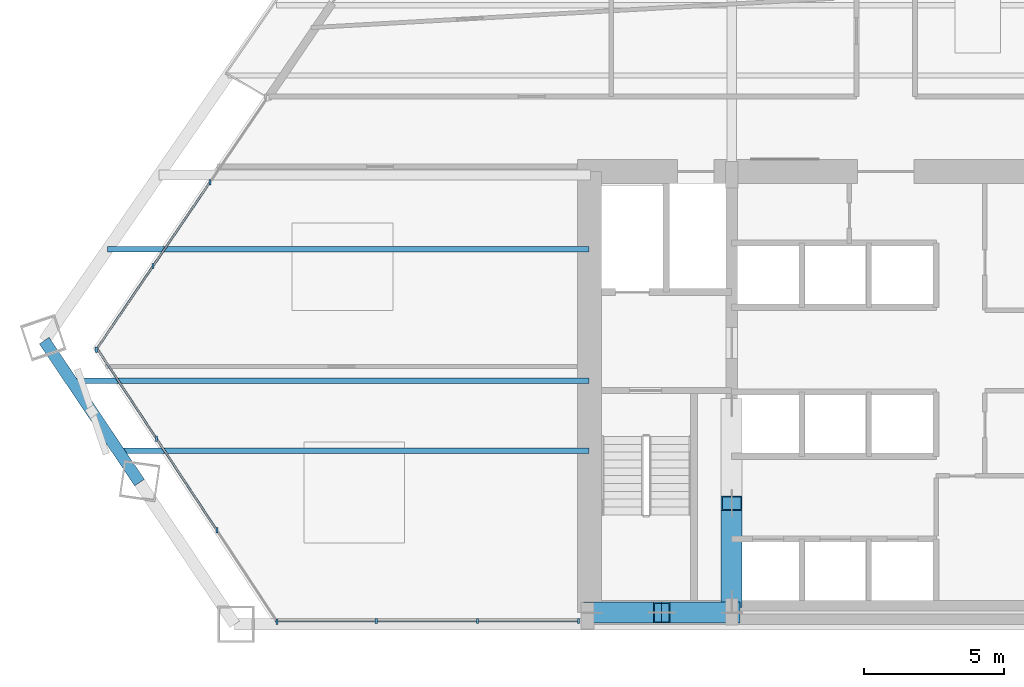
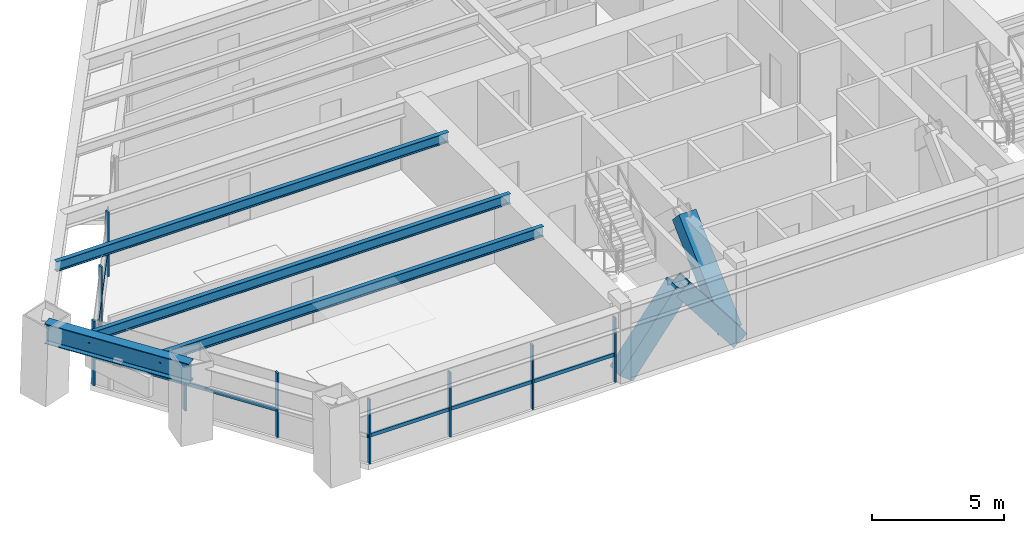
# One storey, part 2 of 14: 19 members, 4 beams, 3 elements without a shape of their own.
"""IFC4 building model written with IfcOpenShell, lengths in metres."""

from ifc_helpers import new_model, si_unit, direction, frame, origin, origin_2d, place, context, subcontext, project, spatial, rectangle, hollow_rectangle, i_section, extrude, source, transform, mapped, material, material_profile, profile_set, type_object, element, aggregate, save


model = new_model("IFC4")

# Units and contexts
model_context = context("Model", 3, precision=1e-05, world=origin(), true_north=direction((0.0, 1.0)))
body_context = subcontext(model_context, "Body", "Model", "MODEL_VIEW")
ifc_project = project(units=[si_unit("LENGTHUNIT", "METRE"), si_unit("AREAUNIT", "SQUARE_METRE"), si_unit("VOLUMEUNIT", "CUBIC_METRE"), si_unit("PLANEANGLEUNIT", "RADIAN"), si_unit("MASSUNIT", "GRAM", prefix="KILO")], contexts=[model_context])

# Site, building, storey
site_placement = place(None, origin())
site = spatial("IfcSite", under=ifc_project, at=site_placement, CompositionType="ELEMENT")
building_placement = place(site_placement, origin())
building = spatial("IfcBuilding", under=site, at=building_placement, Name="Varnakhor Terracotta Tower", CompositionType="ELEMENT")
storey_placement = place(building_placement, frame((0.0, 0.0, 68.199951171875)))
storey = spatial("IfcBuildingStorey", under=building, at=storey_placement, Name="L16", CompositionType="ELEMENT", Elevation=68.199951171875)

# Beams
ifc_material_1 = material(Name="Steel S355", Category="steel")
ifc_material_profile_1 = material_profile(ifc_material_1, i_section(OverallWidth=0.41796875, OverallDepth=0.927001953125, WebThickness=0.01904296875, FlangeThickness=0.031982421875, FilletRadius=0.01806640625, at=origin_2d()), Name="W36X231")
ifc_profile_set_1 = profile_set([ifc_material_profile_1], Name="Steel S355")
beam_type_1 = type_object("IfcBeamType", Name="BM-W36X231", PredefinedType="BEAM", material=ifc_profile_set_1)
shared_shape_1 = source(origin(), body_context, "Body", "SweptSolid", [
    extrude(i_section(OverallWidth=0.41796875, OverallDepth=0.927001953125, WebThickness=0.01904296875, FlangeThickness=0.031982421875, FilletRadius=0.01806640625, at=origin_2d()), origin(), (0.0, 0.0, 1.0), 6.099365234375),
])
beam_1_placement = place(storey_placement, frame((-30.0498046875, 10.127197265625, 2.9365234375), z_axis=(0.557532716561, -0.83015496744, 0.0), x_axis=(0.83015496744, 0.557532716561, 0.0)))
element("IfcBeam", 1, at=beam_1_placement, inside=storey, type_object=beam_type_1, Name="L16 Perimeter Spandrel 7", PredefinedType="BEAM", context=body_context, shape_type="MappedRepresentation", body=[
    mapped(shared_shape_1, transform((0.0, 0.0, 0.0), scale=1.0)),
])
ifc_material_profile_2 = material_profile(ifc_material_1, i_section(OverallWidth=0.19189453125, OverallDepth=0.462890625, WebThickness=0.010498046875, FlangeThickness=0.017578125, FilletRadius=0.01806640625, at=origin_2d()), Name="W18X60")
ifc_profile_set_2 = profile_set([ifc_material_profile_2], Name="Steel S355")
beam_type_2 = type_object("IfcBeamType", Name="JST-W18X60", PredefinedType="JOIST", material=ifc_profile_set_2)
shared_shape_2 = source(origin(), body_context, "Body", "SweptSolid", [
    extrude(i_section(OverallWidth=0.19189453125, OverallDepth=0.462890625, WebThickness=0.010498046875, FlangeThickness=0.017578125, FilletRadius=0.01806640625, at=origin_2d()), origin(), (0.0, 0.0, 1.0), 16.812255859375),
])
beam_2_placement = place(storey_placement, frame((-27.412353515625, 6.199951171875, 3.16845703125), z_axis=(1.0, 0.0, 0.0), x_axis=(0.0, 1.0, 0.0)))
element("IfcBeam", 2, at=beam_2_placement, inside=storey, type_object=beam_type_2, Name="L16 Floor Joist W1", PredefinedType="JOIST", context=body_context, shape_type="MappedRepresentation", body=[
    mapped(shared_shape_2, transform((0.0, 0.0, 0.0), scale=1.0)),
])
shared_shape_3 = source(origin(), body_context, "Body", "SweptSolid", [
    extrude(i_section(OverallWidth=0.19189453125, OverallDepth=0.462890625, WebThickness=0.010498046875, FlangeThickness=0.017578125, FilletRadius=0.01806640625, at=origin_2d()), origin(), (0.0, 0.0, 1.0), 18.4912109375),
])
beam_3_placement = place(storey_placement, frame((-29.09130859375, 8.699951171875, 3.16845703125), z_axis=(1.0, 0.0, 0.0), x_axis=(0.0, 1.0, 0.0)))
element("IfcBeam", 3, at=beam_3_placement, inside=storey, type_object=beam_type_2, Name="L16 Floor Joist W2", PredefinedType="JOIST", context=body_context, shape_type="MappedRepresentation", body=[
    mapped(shared_shape_3, transform((0.0, 0.0, 0.0), scale=1.0)),
])
shared_shape_4 = source(origin(), body_context, "Body", "SweptSolid", [
    extrude(i_section(OverallWidth=0.19189453125, OverallDepth=0.462890625, WebThickness=0.010498046875, FlangeThickness=0.017578125, FilletRadius=0.01806640625, at=origin_2d()), origin(), (0.0, 0.0, 1.0), 17.18505859375),
])
beam_4_placement = place(storey_placement, frame((-27.78515625, 13.39990234375, 3.16845703125), z_axis=(1.0, 0.0, 0.0), x_axis=(0.0, 1.0, 0.0)))
element("IfcBeam", 4, at=beam_4_placement, inside=storey, type_object=beam_type_2, Name="L16 Floor Joist W3", PredefinedType="JOIST", context=body_context, shape_type="MappedRepresentation", body=[
    mapped(shared_shape_4, transform((0.0, 0.0, 0.0), scale=1.0)),
])

# Members
ifc_material_2 = material(Name="Steel S460", Category="steel")
ifc_material_profile_3 = material_profile(ifc_material_2, hollow_rectangle(XDim=0.75, YDim=0.75, WallThickness=0.044921875, at=origin_2d()), Name="HSS750X750X45")
ifc_profile_set_3 = profile_set([ifc_material_profile_3], Name="Steel S460")
member_type_1 = type_object("IfcMemberType", Name="MBR-MEGA-750", PredefinedType="BRACE", material=ifc_profile_set_3)
shared_shape_5 = source(origin(), body_context, "Body", "SweptSolid", [
    extrude(hollow_rectangle(XDim=0.75, YDim=0.75, WallThickness=0.044921875, at=origin_2d()), origin(), (0.0, 0.0, 1.0), 4.100341796875),
])
for number, where, z_axis, x_axis, name in (
    (5, (-10.5, 0.419921875, 0.0), (0.60971076085, 0.0, 0.792623989105), (0.0, 1.0, 0.0), "L16 Core Coupled Brace CSWA"),
    (6, (-5.5, 0.419921875, 0.0), (-0.60971076085, 0.0, 0.792623989105), (0.0, -1.0, 0.0), "L16 Core Coupled Brace CSWB"),
):
    element("IfcMember", number, at=place(storey_placement, frame(where, z_axis=z_axis, x_axis=x_axis)), inside=storey, type_object=member_type_1, Name=name, PredefinedType="BRACE", context=body_context, shape_type="MappedRepresentation", body=[
        mapped(shared_shape_5, transform((0.0, 0.0, 0.0), scale=1.0)),
    ])
shared_shape_6 = source(origin(), body_context, "Body", "SweptSolid", [
    extrude(hollow_rectangle(XDim=0.75, YDim=0.75, WallThickness=0.044921875, at=origin_2d()), origin(), (0.0, 0.0, 1.0), 4.7578125),
])
member_1_placement = place(storey_placement, frame((-5.5, 0.85009765625, 0.0), z_axis=(0.0, 0.730341602329, 0.683082091632), x_axis=(-1.0, 0.0, 0.0)))
element("IfcMember", 7, at=member_1_placement, inside=storey, type_object=member_type_1, Name="L16 Core Coupled Brace CWWA", PredefinedType="BRACE", context=body_context, shape_type="MappedRepresentation", body=[
    mapped(shared_shape_6, transform((0.0, 0.0, 0.0), scale=1.0)),
])

# Curtain wall, members
ifc_material_3 = material(Name="Anodised Aluminium Curtain Wall System", Category="aluminium")
curtain_wall_type = type_object("IfcCurtainWallType", Name="CW-SYS-LOW-OFFICE", PredefinedType="NOTDEFINED", material=ifc_material_3)
curtain_wall_1_placement = place(storey_placement, origin())
curtain_wall_1 = element("IfcCurtainWall", 8, at=curtain_wall_1_placement, inside=storey, type_object=curtain_wall_type, Name="L16 W Facet Curtain Wall 1", PredefinedType="NOTDEFINED")
ifc_material_4 = material(Name="Anodised Aluminium 6063-T6", Category="aluminium")
ifc_material_profile_4 = material_profile(ifc_material_4, rectangle(XDim=0.074951171875, YDim=0.18505859375, at=origin_2d()), Name="ALU MULLION 75x185")
ifc_profile_set_4 = profile_set([ifc_material_profile_4], Name="Anodised Aluminium 6063-T6")
member_type_2 = type_object("IfcMemberType", Name="CWM-02", PredefinedType="MULLION", material=ifc_profile_set_4)
shared_shape_7 = source(origin(), body_context, "Body", "SweptSolid", [
    extrude(rectangle(XDim=0.074951171875, YDim=0.18505859375, at=origin_2d()), origin(), (0.0, 0.0, 1.0), 2.97998046875),
])
member_2_placement = place(storey_placement, frame((-28.19091796875, 9.807373046875, 0.0), z_axis=(0.0, 0.0, 1.0), x_axis=(1.0, 0.0, 0.0)))
member_2 = element("IfcMember", 9, at=member_2_placement, type_object=member_type_2, Name="L16 W Facet Curtain Wall 1 Mullion 1", PredefinedType="MULLION", context=body_context, shape_type="MappedRepresentation", body=[
    mapped(shared_shape_7, transform((0.0, 0.0, 0.0), scale=1.0)),
])
member_3_placement = place(storey_placement, frame((-26.16162109375, 12.7958984375, 0.0), z_axis=(0.0, 0.0, 1.0), x_axis=(1.0, 0.0, 0.0)))
member_3 = element("IfcMember", 10, at=member_3_placement, type_object=member_type_2, Name="L16 W Facet Curtain Wall 1 Mullion 2", PredefinedType="MULLION", context=body_context, shape_type="MappedRepresentation", body=[
    mapped(shared_shape_7, transform((0.0, 0.0, 0.0), scale=1.0)),
])
member_4_placement = place(storey_placement, frame((-24.13232421875, 15.784423828125, 0.0), z_axis=(0.0, 0.0, 1.0), x_axis=(1.0, 0.0, 0.0)))
member_4 = element("IfcMember", 11, at=member_4_placement, type_object=member_type_2, Name="L16 W Facet Curtain Wall 1 Mullion 3", PredefinedType="MULLION", context=body_context, shape_type="MappedRepresentation", body=[
    mapped(shared_shape_7, transform((0.0, 0.0, 0.0), scale=1.0)),
])

curtain_wall_2_placement = place(storey_placement, origin())
curtain_wall_2 = element("IfcCurtainWall", 12, at=curtain_wall_2_placement, inside=storey, type_object=curtain_wall_type, Name="L16 South Wing Curtain Wall SSW", PredefinedType="NOTDEFINED")
member_5_placement = place(storey_placement, frame((-10.969970703125, 0.1201171875, 0.0), z_axis=(0.0, 0.0, 1.0), x_axis=(1.0, 0.0, 0.0)))
member_5 = element("IfcMember", 13, at=member_5_placement, type_object=member_type_2, Name="L16 South Wing Curtain Wall SSW Mullion 1", PredefinedType="MULLION", context=body_context, shape_type="MappedRepresentation", body=[
    mapped(shared_shape_7, transform((0.0, 0.0, 0.0), scale=1.0)),
])
member_6_placement = place(storey_placement, frame((-14.58203125, 0.1201171875, 0.0), z_axis=(0.0, 0.0, 1.0), x_axis=(1.0, 0.0, 0.0)))
member_6 = element("IfcMember", 14, at=member_6_placement, type_object=member_type_2, Name="L16 South Wing Curtain Wall SSW Mullion 2", PredefinedType="MULLION", context=body_context, shape_type="MappedRepresentation", body=[
    mapped(shared_shape_7, transform((0.0, 0.0, 0.0), scale=1.0)),
])
member_7_placement = place(storey_placement, frame((-18.19384765625, 0.1201171875, 0.0), z_axis=(0.0, 0.0, 1.0), x_axis=(1.0, 0.0, 0.0)))
member_7 = element("IfcMember", 15, at=member_7_placement, type_object=member_type_2, Name="L16 South Wing Curtain Wall SSW Mullion 3", PredefinedType="MULLION", context=body_context, shape_type="MappedRepresentation", body=[
    mapped(shared_shape_7, transform((0.0, 0.0, 0.0), scale=1.0)),
])

curtain_wall_3_placement = place(storey_placement, origin())
curtain_wall_3 = element("IfcCurtainWall", 16, at=curtain_wall_3_placement, inside=storey, type_object=curtain_wall_type, Name="L16 Facet Curtain Wall 6", PredefinedType="NOTDEFINED")
member_8_placement = place(storey_placement, frame((-21.732177734375, 0.091064453125, 0.0), z_axis=(0.0, 0.0, 1.0), x_axis=(1.0, 0.0, 0.0)))
member_8 = element("IfcMember", 17, at=member_8_placement, type_object=member_type_2, Name="L16 Facet Curtain Wall 6 Mullion 1", PredefinedType="MULLION", context=body_context, shape_type="MappedRepresentation", body=[
    mapped(shared_shape_7, transform((0.0, 0.0, 0.0), scale=1.0)),
])
member_9_placement = place(storey_placement, frame((-23.885009765625, 3.357666015625, 0.0), z_axis=(0.0, 0.0, 1.0), x_axis=(1.0, 0.0, 0.0)))
member_9 = element("IfcMember", 18, at=member_9_placement, type_object=member_type_2, Name="L16 Facet Curtain Wall 6 Mullion 2", PredefinedType="MULLION", context=body_context, shape_type="MappedRepresentation", body=[
    mapped(shared_shape_7, transform((0.0, 0.0, 0.0), scale=1.0)),
])
member_10_placement = place(storey_placement, frame((-26.03759765625, 6.624267578125, 0.0), z_axis=(0.0, 0.0, 1.0), x_axis=(1.0, 0.0, 0.0)))
member_10 = element("IfcMember", 19, at=member_10_placement, type_object=member_type_2, Name="L16 Facet Curtain Wall 6 Mullion 3", PredefinedType="MULLION", context=body_context, shape_type="MappedRepresentation", body=[
    mapped(shared_shape_7, transform((0.0, 0.0, 0.0), scale=1.0)),
])

# Member
ifc_material_profile_5 = material_profile(ifc_material_4, rectangle(XDim=0.074951171875, YDim=0.1650390625, at=origin_2d()), Name="ALU TRANSOM 75x165")
ifc_profile_set_5 = profile_set([ifc_material_profile_5], Name="Anodised Aluminium 6063-T6")
member_type_3 = type_object("IfcMemberType", Name="CWT-02", PredefinedType="USERDEFINED", material=ifc_profile_set_5)
shared_shape_8 = source(origin(), body_context, "Body", "SweptSolid", [
    extrude(rectangle(XDim=0.074951171875, YDim=0.1650390625, at=origin_2d()), origin(), (0.0, 0.0, 1.0), 3.6123046875),
])
member_11_placement = place(storey_placement, frame((-28.19091796875, 9.807373046875, 1.251708984375), z_axis=(0.561760867299, 0.827299660323, 0.0), x_axis=(-0.827299660323, 0.561760867299, 0.0)))
member_11 = element("IfcMember", 20, at=member_11_placement, type_object=member_type_3, Name="L16 W Facet Curtain Wall 1 Transom 1", ObjectType="TRANSOM", PredefinedType="USERDEFINED", context=body_context, shape_type="MappedRepresentation", body=[
    mapped(shared_shape_8, transform((0.0, 0.0, 0.0), scale=1.0)),
])

member_12_placement = place(storey_placement, frame((-26.16162109375, 12.7958984375, 1.251708984375), z_axis=(0.561760867299, 0.827299660323, 0.0), x_axis=(-0.827299660323, 0.561760867299, 0.0)))
member_12 = element("IfcMember", 21, at=member_12_placement, type_object=member_type_3, Name="L16 W Facet Curtain Wall 1 Transom 2", ObjectType="TRANSOM", PredefinedType="USERDEFINED", context=body_context, shape_type="MappedRepresentation", body=[
    mapped(shared_shape_8, transform((0.0, 0.0, 0.0), scale=1.0)),
])

aggregate(curtain_wall_1, [member_2, member_11, member_3, member_12, member_4])

shared_shape_9 = source(origin(), body_context, "Body", "SweptSolid", [
    extrude(rectangle(XDim=0.074951171875, YDim=0.1650390625, at=origin_2d()), origin(), (0.0, 0.0, 1.0), 3.612060546875),
])
member_13_placement = place(storey_placement, frame((-10.969970703125, 0.1201171875, 1.251708984375), z_axis=(-1.0, 0.0, 0.0), x_axis=(0.0, -1.0, 0.0)))
member_13 = element("IfcMember", 22, at=member_13_placement, type_object=member_type_3, Name="L16 South Wing Curtain Wall SSW Transom 1", ObjectType="TRANSOM", PredefinedType="USERDEFINED", context=body_context, shape_type="MappedRepresentation", body=[
    mapped(shared_shape_9, transform((0.0, 0.0, 0.0), scale=1.0)),
])

member_14_placement = place(storey_placement, frame((-18.19384765625, 0.1201171875, 1.251708984375), z_axis=(-1.0, 0.0, 0.0), x_axis=(0.0, -1.0, 0.0)))
member_14 = element("IfcMember", 23, at=member_14_placement, type_object=member_type_3, Name="L16 South Wing Curtain Wall SSW Transom 3", ObjectType="TRANSOM", PredefinedType="USERDEFINED", context=body_context, shape_type="MappedRepresentation", body=[
    mapped(shared_shape_9, transform((0.0, 0.0, 0.0), scale=1.0)),
])

shared_shape_10 = source(origin(), body_context, "Body", "SweptSolid", [
    extrude(rectangle(XDim=0.074951171875, YDim=0.1650390625, at=origin_2d()), origin(), (0.0, 0.0, 1.0), 3.61181640625),
])
member_15_placement = place(storey_placement, frame((-14.58203125, 0.1201171875, 1.251708984375), z_axis=(-1.0, 0.0, 0.0), x_axis=(0.0, -1.0, 0.0)))
member_15 = element("IfcMember", 24, at=member_15_placement, type_object=member_type_3, Name="L16 South Wing Curtain Wall SSW Transom 2", ObjectType="TRANSOM", PredefinedType="USERDEFINED", context=body_context, shape_type="MappedRepresentation", body=[
    mapped(shared_shape_10, transform((0.0, 0.0, 0.0), scale=1.0)),
])

aggregate(curtain_wall_2, [member_5, member_13, member_6, member_15, member_7, member_14])

shared_shape_11 = source(origin(), body_context, "Body", "SweptSolid", [
    extrude(rectangle(XDim=0.074951171875, YDim=0.1650390625, at=origin_2d()), origin(), (0.0, 0.0, 1.0), 3.912109375),
])
member_16_placement = place(storey_placement, frame((-23.885009765625, 3.357666015625, 1.251708984375), z_axis=(-0.550242166309, 0.835005124784, 0.0), x_axis=(-0.835005124784, -0.550242166309, 0.0)))
member_16 = element("IfcMember", 25, at=member_16_placement, type_object=member_type_3, Name="L16 Facet Curtain Wall 6 Transom 2", ObjectType="TRANSOM", PredefinedType="USERDEFINED", context=body_context, shape_type="MappedRepresentation", body=[
    mapped(shared_shape_11, transform((0.0, 0.0, 0.0), scale=1.0)),
])

shared_shape_12 = source(origin(), body_context, "Body", "SweptSolid", [
    extrude(rectangle(XDim=0.074951171875, YDim=0.1650390625, at=origin_2d()), origin(), (0.0, 0.0, 1.0), 3.912353515625),
])
member_17_placement = place(storey_placement, frame((-26.03759765625, 6.624267578125, 1.251708984375), z_axis=(-0.550213494287, 0.83502401804, 0.0), x_axis=(-0.83502401804, -0.550213494287, 0.0)))
member_17 = element("IfcMember", 26, at=member_17_placement, type_object=member_type_3, Name="L16 Facet Curtain Wall 6 Transom 3", ObjectType="TRANSOM", PredefinedType="USERDEFINED", context=body_context, shape_type="MappedRepresentation", body=[
    mapped(shared_shape_12, transform((0.0, 0.0, 0.0), scale=1.0)),
])

aggregate(curtain_wall_3, [member_8, member_9, member_16, member_10, member_17])

save(model, "model.ifc")
